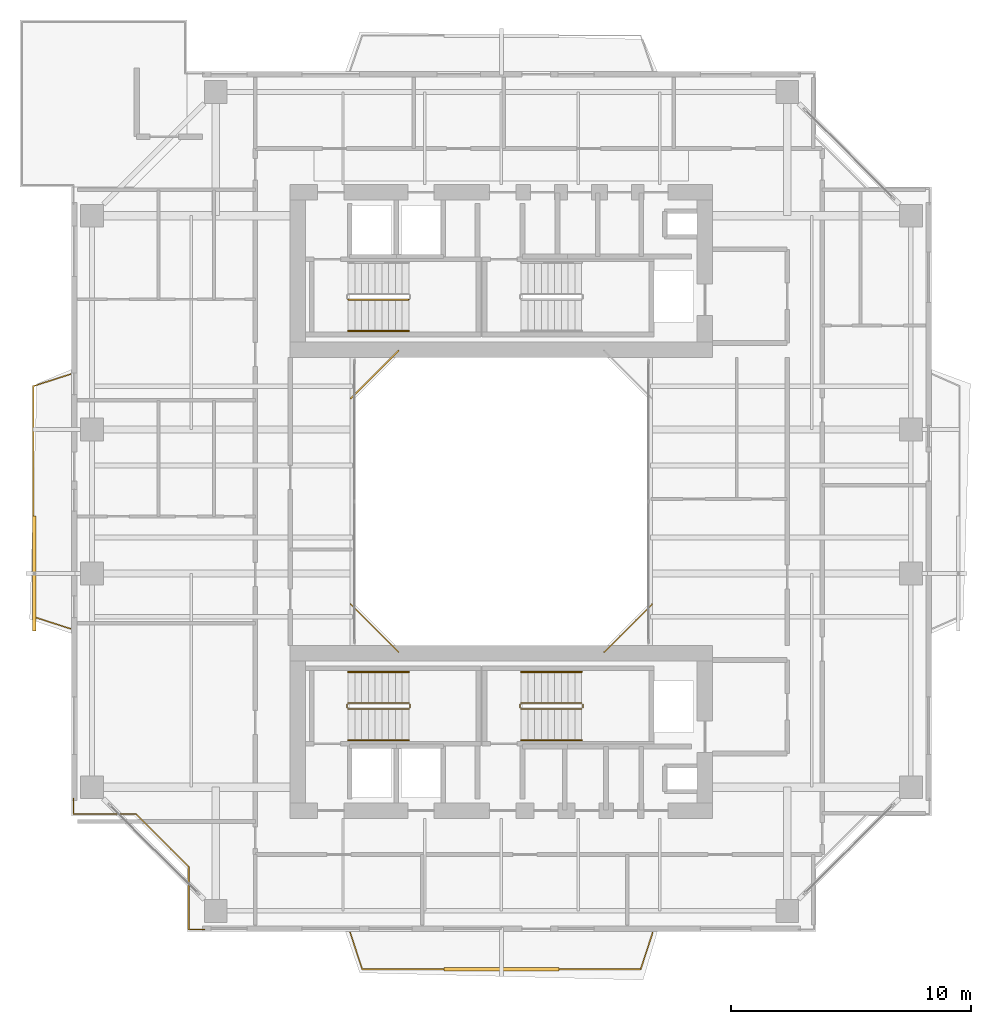
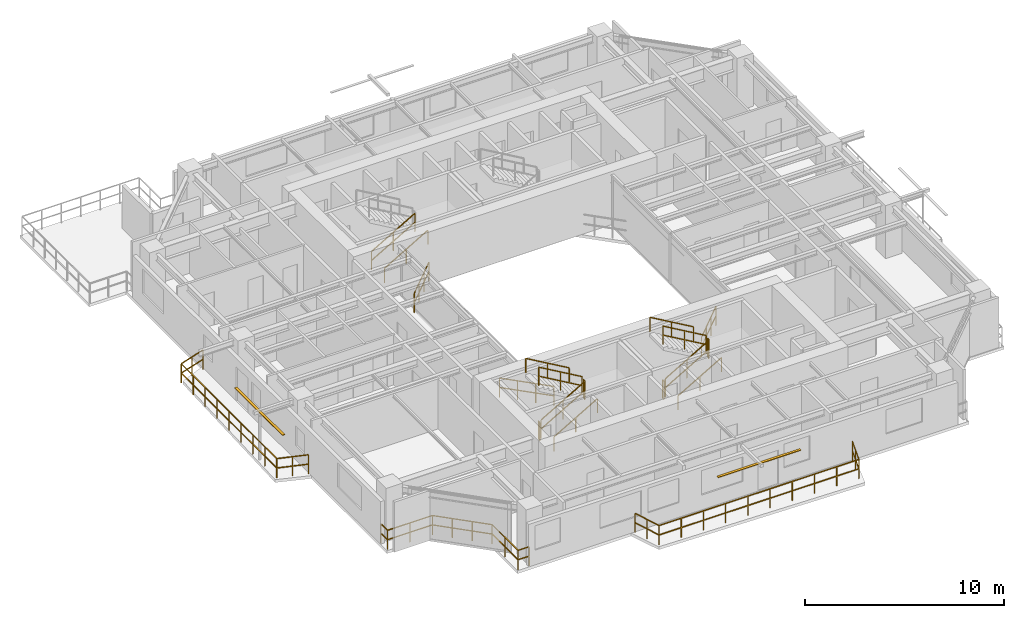
# One storey, part 15 of 17: 20 railings, 2 shading devices.
"""IFC4 building model written with IfcOpenShell, lengths in metres."""

from ifc_helpers import new_model, si_unit, direction, frame, origin, origin_2d, place, context, subcontext, project, spatial, rectangle, extrude, source, transform, mapped, material, material_profile, profile_set, type_object, element, save


model = new_model("IFC4")

# Units and contexts
model_context = context("Model", 3, precision=1e-05, world=origin(), true_north=direction((0.0, 1.0)))
body_context = subcontext(model_context, "Body", "Model", "MODEL_VIEW")
ifc_project = project(units=[si_unit("LENGTHUNIT", "METRE"), si_unit("AREAUNIT", "SQUARE_METRE"), si_unit("VOLUMEUNIT", "CUBIC_METRE"), si_unit("PLANEANGLEUNIT", "RADIAN"), si_unit("MASSUNIT", "GRAM", prefix="KILO"), si_unit("THERMODYNAMICTEMPERATUREUNIT", "KELVIN"), si_unit("POWERUNIT", "WATT")], contexts=[model_context])

# Site, building, storey
site_placement = place(None, origin())
site = spatial("IfcSite", under=ifc_project, at=site_placement, CompositionType="ELEMENT")
building_placement = place(site_placement, origin())
building = spatial("IfcBuilding", under=site, at=building_placement, Name="Qiaomeng Ring Towers", CompositionType="ELEMENT")
storey_placement = place(building_placement, frame((0.0, 0.0, 143.75)))
storey = spatial("IfcBuildingStorey", under=building, at=storey_placement, Name="L41", CompositionType="ELEMENT", Elevation=143.75)

# Railings
ifc_material_1 = material(Name="Low-E pale-green laminated safety glass", Category="glass")
railing_type_1 = type_object("IfcRailingType", Name="ARC-RL-BAL1", PredefinedType="BALUSTRADE", material=ifc_material_1)
railing_1_placement = place(storey_placement, frame((23.280029296875, 16.719970703125, 0.0)))
element("IfcRailing", 1, at=railing_1_placement, inside=storey, type_object=railing_type_1, Name="L41 Balustrade ARC-BAL-WELL1-L41-1", PredefinedType="BALUSTRADE", context=body_context, shape_type="SweptSolid", body=[
    extrude(rectangle(XDim=0.048095703125, YDim=0.048095703125, at=origin_2d()), frame((0.0, 0.0, 1.17578125), z_axis=(0.707106781187, 0.707106781187, 0.0), x_axis=(-0.707106781187, 0.707106781187, 0.0)), (0.0, 0.0, 1.0), 2.828369140625),
    extrude(rectangle(XDim=0.048095703125, YDim=0.048095703125, at=origin_2d()), frame((0.0, 0.0, 0.60009765625), z_axis=(0.707106781187, 0.707106781187, 0.0), x_axis=(-0.707106781187, 0.707106781187, 0.0)), (0.0, 0.0, 1.0), 2.828369140625),
    extrude(rectangle(XDim=0.0419921875, YDim=0.0419921875, at=origin_2d()), origin(), (0.0, 0.0, 1.0), 1.15185546875),
    extrude(rectangle(XDim=0.0419921875, YDim=0.0419921875, at=origin_2d()), frame((0.666748046875, 0.666748046875, 0.0)), (0.0, 0.0, 1.0), 1.15185546875),
    extrude(rectangle(XDim=0.0419921875, YDim=0.0419921875, at=origin_2d()), frame((1.333251953125, 1.333251953125, 0.0)), (0.0, 0.0, 1.0), 1.15185546875),
    extrude(rectangle(XDim=0.0419921875, YDim=0.0419921875, at=origin_2d()), frame((2.0, 2.0, 0.0)), (0.0, 0.0, 1.0), 1.15185546875),
])
railing_2_placement = place(storey_placement, frame((14.719970703125, 29.280029296875, 0.0)))
element("IfcRailing", 2, at=railing_2_placement, inside=storey, type_object=railing_type_1, Name="L41 Balustrade ARC-BAL-WELL1-L41-3", PredefinedType="BALUSTRADE", context=body_context, shape_type="SweptSolid", body=[
    extrude(rectangle(XDim=0.048095703125, YDim=0.048095703125, at=origin_2d()), frame((0.0, 0.0, 1.17578125), z_axis=(-0.707106781187, -0.707106781187, 0.0), x_axis=(0.707106781187, -0.707106781187, 0.0)), (0.0, 0.0, 1.0), 2.828369140625),
    extrude(rectangle(XDim=0.048095703125, YDim=0.048095703125, at=origin_2d()), frame((0.0, 0.0, 0.60009765625), z_axis=(-0.707106781187, -0.707106781187, 0.0), x_axis=(0.707106781187, -0.707106781187, 0.0)), (0.0, 0.0, 1.0), 2.828369140625),
    extrude(rectangle(XDim=0.0419921875, YDim=0.0419921875, at=origin_2d()), origin(), (0.0, 0.0, 1.0), 1.15185546875),
    extrude(rectangle(XDim=0.0419921875, YDim=0.0419921875, at=origin_2d()), frame((-0.666748046875, -0.666748046875, 0.0)), (0.0, 0.0, 1.0), 1.15185546875),
    extrude(rectangle(XDim=0.0419921875, YDim=0.0419921875, at=origin_2d()), frame((-1.333251953125, -1.333251953125, 0.0)), (0.0, 0.0, 1.0), 1.15185546875),
    extrude(rectangle(XDim=0.0419921875, YDim=0.0419921875, at=origin_2d()), frame((-2.0, -2.0, 0.0)), (0.0, 0.0, 1.0), 1.15185546875),
])
railing_3_placement = place(storey_placement, frame((12.719970703125, 18.719970703125, 0.0)))
element("IfcRailing", 3, at=railing_3_placement, inside=storey, type_object=railing_type_1, Name="L41 Balustrade ARC-BAL-WELL1-L41-4", PredefinedType="BALUSTRADE", context=body_context, shape_type="SweptSolid", body=[
    extrude(rectangle(XDim=0.048095703125, YDim=0.048095703125, at=origin_2d()), frame((0.0, 0.0, 1.17578125), z_axis=(0.707106781187, -0.707106781187, 0.0), x_axis=(0.707106781187, 0.707106781187, 0.0)), (0.0, 0.0, 1.0), 2.828369140625),
    extrude(rectangle(XDim=0.048095703125, YDim=0.048095703125, at=origin_2d()), frame((0.0, 0.0, 0.60009765625), z_axis=(0.707106781187, -0.707106781187, 0.0), x_axis=(0.707106781187, 0.707106781187, 0.0)), (0.0, 0.0, 1.0), 2.828369140625),
    extrude(rectangle(XDim=0.0419921875, YDim=0.0419921875, at=origin_2d()), origin(), (0.0, 0.0, 1.0), 1.15185546875),
    extrude(rectangle(XDim=0.0419921875, YDim=0.0419921875, at=origin_2d()), frame((0.666748046875, -0.666748046875, 0.0)), (0.0, 0.0, 1.0), 1.15185546875),
    extrude(rectangle(XDim=0.0419921875, YDim=0.0419921875, at=origin_2d()), frame((1.333251953125, -1.333251953125, 0.0)), (0.0, 0.0, 1.0), 1.15185546875),
    extrude(rectangle(XDim=0.0419921875, YDim=0.0419921875, at=origin_2d()), frame((2.0, -2.0, 0.0)), (0.0, 0.0, 1.0), 1.15185546875),
])
railing_4_placement = place(storey_placement, frame((1.179931640625, 10.6298828125, 0.0)))
element("IfcRailing", 4, at=railing_4_placement, inside=storey, type_object=railing_type_1, Name="L41 Balustrade ARC-BAL-NOTCH1-L41-SW", PredefinedType="BALUSTRADE", context=body_context, shape_type="SweptSolid", body=[
    extrude(rectangle(XDim=0.048095703125, YDim=0.048095703125, at=origin_2d()), frame((0.0, 0.0, 1.17578125), z_axis=(0.0, -1.0, 0.0), x_axis=(1.0, 0.0, 0.0)), (0.0, 0.0, 1.0), 0.64990234375),
    extrude(rectangle(XDim=0.048095703125, YDim=0.048095703125, at=origin_2d()), frame((0.0, 0.0, 0.60009765625), z_axis=(0.0, -1.0, 0.0), x_axis=(1.0, 0.0, 0.0)), (0.0, 0.0, 1.0), 0.64990234375),
    extrude(rectangle(XDim=0.048095703125, YDim=0.048095703125, at=origin_2d()), frame((0.0, -0.64990234375, 1.17578125), z_axis=(1.0, 0.0, 0.0), x_axis=(0.0, 1.0, 0.0)), (0.0, 0.0, 1.0), 2.60009765625),
    extrude(rectangle(XDim=0.048095703125, YDim=0.048095703125, at=origin_2d()), frame((0.0, -0.64990234375, 0.60009765625), z_axis=(1.0, 0.0, 0.0), x_axis=(0.0, 1.0, 0.0)), (0.0, 0.0, 1.0), 2.60009765625),
    extrude(rectangle(XDim=0.048095703125, YDim=0.048095703125, at=origin_2d()), frame((2.60009765625, -0.64990234375, 1.17578125), z_axis=(0.707106781187, -0.707106781187, 0.0), x_axis=(0.707106781187, 0.707106781187, 0.0)), (0.0, 0.0, 1.0), 3.111083984375),
    extrude(rectangle(XDim=0.048095703125, YDim=0.048095703125, at=origin_2d()), frame((2.60009765625, -0.64990234375, 0.60009765625), z_axis=(0.707106781187, -0.707106781187, 0.0), x_axis=(0.707106781187, 0.707106781187, 0.0)), (0.0, 0.0, 1.0), 3.111083984375),
    extrude(rectangle(XDim=0.048095703125, YDim=0.048095703125, at=origin_2d()), frame((4.800048828125, -2.849853515625, 1.17578125), z_axis=(0.0, -1.0, 0.0), x_axis=(1.0, 0.0, 0.0)), (0.0, 0.0, 1.0), 2.60009765625),
    extrude(rectangle(XDim=0.048095703125, YDim=0.048095703125, at=origin_2d()), frame((4.800048828125, -2.849853515625, 0.60009765625), z_axis=(0.0, -1.0, 0.0), x_axis=(1.0, 0.0, 0.0)), (0.0, 0.0, 1.0), 2.60009765625),
    extrude(rectangle(XDim=0.048095703125, YDim=0.048095703125, at=origin_2d()), frame((4.800048828125, -5.449951171875, 1.17578125), z_axis=(1.0, 0.0, 0.0), x_axis=(0.0, 1.0, 0.0)), (0.0, 0.0, 1.0), 0.64990234375),
    extrude(rectangle(XDim=0.048095703125, YDim=0.048095703125, at=origin_2d()), frame((4.800048828125, -5.449951171875, 0.60009765625), z_axis=(1.0, 0.0, 0.0), x_axis=(0.0, 1.0, 0.0)), (0.0, 0.0, 1.0), 0.64990234375),
    extrude(rectangle(XDim=0.0419921875, YDim=0.0419921875, at=origin_2d()), origin(), (0.0, 0.0, 1.0), 1.15185546875),
    extrude(rectangle(XDim=0.0419921875, YDim=0.0419921875, at=origin_2d()), frame((0.0, -0.64990234375, 0.0)), (0.0, 0.0, 1.0), 1.15185546875),
    extrude(rectangle(XDim=0.0419921875, YDim=0.0419921875, at=origin_2d()), frame((1.300048828125, -0.64990234375, 0.0)), (0.0, 0.0, 1.0), 1.15185546875),
    extrude(rectangle(XDim=0.0419921875, YDim=0.0419921875, at=origin_2d()), frame((2.60009765625, -0.64990234375, 0.0)), (0.0, 0.0, 1.0), 1.15185546875),
    extrude(rectangle(XDim=0.0419921875, YDim=0.0419921875, at=origin_2d()), frame((3.33349609375, -1.38330078125, 0.0)), (0.0, 0.0, 1.0), 1.15185546875),
    extrude(rectangle(XDim=0.0419921875, YDim=0.0419921875, at=origin_2d()), frame((4.066650390625, -2.116455078125, 0.0)), (0.0, 0.0, 1.0), 1.15185546875),
    extrude(rectangle(XDim=0.0419921875, YDim=0.0419921875, at=origin_2d()), frame((4.800048828125, -2.849853515625, 0.0)), (0.0, 0.0, 1.0), 1.15185546875),
    extrude(rectangle(XDim=0.0419921875, YDim=0.0419921875, at=origin_2d()), frame((4.800048828125, -4.14990234375, 0.0)), (0.0, 0.0, 1.0), 1.15185546875),
    extrude(rectangle(XDim=0.0419921875, YDim=0.0419921875, at=origin_2d()), frame((4.800048828125, -5.449951171875, 0.0)), (0.0, 0.0, 1.0), 1.15185546875),
    extrude(rectangle(XDim=0.0419921875, YDim=0.0419921875, at=origin_2d()), frame((5.449951171875, -5.449951171875, 0.0)), (0.0, 0.0, 1.0), 1.15185546875),
])
railing_5_placement = place(storey_placement, frame((12.699951171875, 5.050048828125, 0.0)))
element("IfcRailing", 5, at=railing_5_placement, inside=storey, type_object=railing_type_1, Name="L41 Balustrade ARC-BAL-L41-T1-S", PredefinedType="BALUSTRADE", context=body_context, shape_type="SweptSolid", body=[
    extrude(rectangle(XDim=0.048095703125, YDim=0.048095703125, at=origin_2d()), frame((0.0, 0.0, 1.17578125), z_axis=(0.310625543041, -0.950532362421, 0.0), x_axis=(0.950532362421, 0.310625543041, 0.0)), (0.0, 0.0, 1.0), 1.609619140625),
    extrude(rectangle(XDim=0.048095703125, YDim=0.048095703125, at=origin_2d()), frame((0.0, 0.0, 0.60009765625), z_axis=(0.310625543041, -0.950532362421, 0.0), x_axis=(0.950532362421, 0.310625543041, 0.0)), (0.0, 0.0, 1.0), 1.609619140625),
    extrude(rectangle(XDim=0.048095703125, YDim=0.048095703125, at=origin_2d()), frame((0.5, -1.530029296875, 1.17578125), z_axis=(1.0, 0.0, 0.0), x_axis=(0.0, 1.0, 0.0)), (0.0, 0.0, 1.0), 11.60009765625),
    extrude(rectangle(XDim=0.048095703125, YDim=0.048095703125, at=origin_2d()), frame((0.5, -1.530029296875, 0.60009765625), z_axis=(1.0, 0.0, 0.0), x_axis=(0.0, 1.0, 0.0)), (0.0, 0.0, 1.0), 11.60009765625),
    extrude(rectangle(XDim=0.048095703125, YDim=0.048095703125, at=origin_2d()), frame((12.10009765625, -1.530029296875, 1.17578125), z_axis=(0.310625543041, 0.950532362421, 0.0), x_axis=(-0.950532362421, 0.310625543041, 0.0)), (0.0, 0.0, 1.0), 1.609619140625),
    extrude(rectangle(XDim=0.048095703125, YDim=0.048095703125, at=origin_2d()), frame((12.10009765625, -1.530029296875, 0.60009765625), z_axis=(0.310625543041, 0.950532362421, 0.0), x_axis=(-0.950532362421, 0.310625543041, 0.0)), (0.0, 0.0, 1.0), 1.609619140625),
    extrude(rectangle(XDim=0.0419921875, YDim=0.0419921875, at=origin_2d()), origin(), (0.0, 0.0, 1.0), 1.15185546875),
    extrude(rectangle(XDim=0.0419921875, YDim=0.0419921875, at=origin_2d()), frame((0.25, -0.76513671875, 0.0)), (0.0, 0.0, 1.0), 1.15185546875),
    extrude(rectangle(XDim=0.0419921875, YDim=0.0419921875, at=origin_2d()), frame((0.5, -1.530029296875, 0.0)), (0.0, 0.0, 1.0), 1.15185546875),
    extrude(rectangle(XDim=0.0419921875, YDim=0.0419921875, at=origin_2d()), frame((1.788818359375, -1.530029296875, 0.0)), (0.0, 0.0, 1.0), 1.15185546875),
    extrude(rectangle(XDim=0.0419921875, YDim=0.0419921875, at=origin_2d()), frame((3.077880859375, -1.530029296875, 0.0)), (0.0, 0.0, 1.0), 1.15185546875),
    extrude(rectangle(XDim=0.0419921875, YDim=0.0419921875, at=origin_2d()), frame((4.36669921875, -1.530029296875, 0.0)), (0.0, 0.0, 1.0), 1.15185546875),
    extrude(rectangle(XDim=0.0419921875, YDim=0.0419921875, at=origin_2d()), frame((5.655517578125, -1.530029296875, 0.0)), (0.0, 0.0, 1.0), 1.15185546875),
    extrude(rectangle(XDim=0.0419921875, YDim=0.0419921875, at=origin_2d()), frame((6.944580078125, -1.530029296875, 0.0)), (0.0, 0.0, 1.0), 1.15185546875),
    extrude(rectangle(XDim=0.0419921875, YDim=0.0419921875, at=origin_2d()), frame((8.2333984375, -1.530029296875, 0.0)), (0.0, 0.0, 1.0), 1.15185546875),
    extrude(rectangle(XDim=0.0419921875, YDim=0.0419921875, at=origin_2d()), frame((9.522216796875, -1.530029296875, 0.0)), (0.0, 0.0, 1.0), 1.15185546875),
    extrude(rectangle(XDim=0.0419921875, YDim=0.0419921875, at=origin_2d()), frame((10.811279296875, -1.530029296875, 0.0)), (0.0, 0.0, 1.0), 1.15185546875),
    extrude(rectangle(XDim=0.0419921875, YDim=0.0419921875, at=origin_2d()), frame((12.10009765625, -1.530029296875, 0.0)), (0.0, 0.0, 1.0), 1.15185546875),
    extrude(rectangle(XDim=0.0419921875, YDim=0.0419921875, at=origin_2d()), frame((12.35009765625, -0.76513671875, 0.0)), (0.0, 0.0, 1.0), 1.15185546875),
    extrude(rectangle(XDim=0.0419921875, YDim=0.0419921875, at=origin_2d()), frame((12.60009765625, 0.0, 0.0)), (0.0, 0.0, 1.0), 1.15185546875),
])
railing_6_placement = place(storey_placement, frame((1.050048828125, 17.699951171875, 0.0)))
element("IfcRailing", 6, at=railing_6_placement, inside=storey, type_object=railing_type_1, Name="L41 Balustrade ARC-BAL-L41-T1-W", PredefinedType="BALUSTRADE", context=body_context, shape_type="SweptSolid", body=[
    extrude(rectangle(XDim=0.048095703125, YDim=0.048095703125, at=origin_2d()), frame((0.0, 0.0, 1.17578125), z_axis=(-0.951711443346, 0.306994020471, 0.0), x_axis=(-0.306994020471, -0.951711443346, 0.0)), (0.0, 0.0, 1.0), 1.628662109375),
    extrude(rectangle(XDim=0.048095703125, YDim=0.048095703125, at=origin_2d()), frame((0.0, 0.0, 0.60009765625), z_axis=(-0.951711443346, 0.306994020471, 0.0), x_axis=(-0.306994020471, -0.951711443346, 0.0)), (0.0, 0.0, 1.0), 1.628662109375),
    extrude(rectangle(XDim=0.048095703125, YDim=0.048095703125, at=origin_2d()), frame((-1.550048828125, 0.5, 1.17578125), z_axis=(0.0, 1.0, 0.0), x_axis=(-1.0, 0.0, 0.0)), (0.0, 0.0, 1.0), 9.60009765625),
    extrude(rectangle(XDim=0.048095703125, YDim=0.048095703125, at=origin_2d()), frame((-1.550048828125, 0.5, 0.60009765625), z_axis=(0.0, 1.0, 0.0), x_axis=(-1.0, 0.0, 0.0)), (0.0, 0.0, 1.0), 9.60009765625),
    extrude(rectangle(XDim=0.048095703125, YDim=0.048095703125, at=origin_2d()), frame((-1.550048828125, 10.10009765625, 1.17578125), z_axis=(0.951711443346, 0.306994020471, 0.0), x_axis=(-0.306994020471, 0.951711443346, 0.0)), (0.0, 0.0, 1.0), 1.628662109375),
    extrude(rectangle(XDim=0.048095703125, YDim=0.048095703125, at=origin_2d()), frame((-1.550048828125, 10.10009765625, 0.60009765625), z_axis=(0.951711443346, 0.306994020471, 0.0), x_axis=(-0.306994020471, 0.951711443346, 0.0)), (0.0, 0.0, 1.0), 1.628662109375),
    extrude(rectangle(XDim=0.0419921875, YDim=0.0419921875, at=origin_2d()), origin(), (0.0, 0.0, 1.0), 1.15185546875),
    extrude(rectangle(XDim=0.0419921875, YDim=0.0419921875, at=origin_2d()), frame((-0.77490234375, 0.25, 0.0)), (0.0, 0.0, 1.0), 1.15185546875),
    extrude(rectangle(XDim=0.0419921875, YDim=0.0419921875, at=origin_2d()), frame((-1.550048828125, 0.5, 0.0)), (0.0, 0.0, 1.0), 1.15185546875),
    extrude(rectangle(XDim=0.0419921875, YDim=0.0419921875, at=origin_2d()), frame((-1.550048828125, 1.699951171875, 0.0)), (0.0, 0.0, 1.0), 1.15185546875),
    extrude(rectangle(XDim=0.0419921875, YDim=0.0419921875, at=origin_2d()), frame((-1.550048828125, 2.89990234375, 0.0)), (0.0, 0.0, 1.0), 1.15185546875),
    extrude(rectangle(XDim=0.0419921875, YDim=0.0419921875, at=origin_2d()), frame((-1.550048828125, 4.10009765625, 0.0)), (0.0, 0.0, 1.0), 1.15185546875),
    extrude(rectangle(XDim=0.0419921875, YDim=0.0419921875, at=origin_2d()), frame((-1.550048828125, 5.300048828125, 0.0)), (0.0, 0.0, 1.0), 1.15185546875),
    extrude(rectangle(XDim=0.0419921875, YDim=0.0419921875, at=origin_2d()), frame((-1.550048828125, 6.5, 0.0)), (0.0, 0.0, 1.0), 1.15185546875),
    extrude(rectangle(XDim=0.0419921875, YDim=0.0419921875, at=origin_2d()), frame((-1.550048828125, 7.7001953125, 0.0)), (0.0, 0.0, 1.0), 1.15185546875),
    extrude(rectangle(XDim=0.0419921875, YDim=0.0419921875, at=origin_2d()), frame((-1.550048828125, 8.900146484375, 0.0)), (0.0, 0.0, 1.0), 1.15185546875),
    extrude(rectangle(XDim=0.0419921875, YDim=0.0419921875, at=origin_2d()), frame((-1.550048828125, 10.10009765625, 0.0)), (0.0, 0.0, 1.0), 1.15185546875),
    extrude(rectangle(XDim=0.0419921875, YDim=0.0419921875, at=origin_2d()), frame((-0.77490234375, 10.35009765625, 0.0)), (0.0, 0.0, 1.0), 1.15185546875),
    extrude(rectangle(XDim=0.0419921875, YDim=0.0419921875, at=origin_2d()), frame((0.0, 10.60009765625, 0.0)), (0.0, 0.0, 1.0), 1.15185546875),
])
ifc_material_2 = material(Name="Galvanised steel", Category="steel")
railing_type_2 = type_object("IfcRailingType", Name="ARC-RL-GUARD", PredefinedType="GUARDRAIL", material=ifc_material_2)
for number, where, name in (
    (7, (12.6201171875, 31.39990234375, 0.16259765625), "L41 ST1 stair guard 1"),
    (8, (12.6201171875, 14.360107421875, 0.16259765625), "L41 ST3 stair guard 1"),
):
    element("IfcRailing", number, at=place(storey_placement, frame(where)), inside=storey, type_object=railing_type_2, Name=name, PredefinedType="GUARDRAIL", context=body_context, shape_type="SweptSolid", body=[
        extrude(rectangle(XDim=0.048095703125, YDim=0.048095703125, at=origin_2d()), frame((0.0, 0.0, 1.1259765625), z_axis=(0.864892226395, 0.0, 0.501957604506), x_axis=(0.0, 1.0, 0.0)), (0.0, 0.0, 1.0), 2.913330078125),
        extrude(rectangle(XDim=0.048095703125, YDim=0.048095703125, at=origin_2d()), frame((0.0, 0.0, 0.574951171875), z_axis=(0.864892226395, 0.0, 0.501957604506), x_axis=(0.0, 1.0, 0.0)), (0.0, 0.0, 1.0), 2.913330078125),
        extrude(rectangle(XDim=0.0419921875, YDim=0.0419921875, at=origin_2d()), origin(), (0.0, 0.0, 1.0), 1.101806640625),
        extrude(rectangle(XDim=0.0419921875, YDim=0.0419921875, at=origin_2d()), frame((1.259765625, 0.0, 0.731201171875)), (0.0, 0.0, 1.0), 1.101806640625),
        extrude(rectangle(XDim=0.0419921875, YDim=0.0419921875, at=origin_2d()), frame((2.519775390625, 0.0, 1.46240234375)), (0.0, 0.0, 1.0), 1.101806640625),
    ])
railing_7_placement = place(storey_placement, frame((15.18994140625, 14.409912109375, 1.625)))
element("IfcRailing", 9, at=railing_7_placement, inside=storey, type_object=railing_type_2, Name="L41 ST3 stair guard 2", PredefinedType="GUARDRAIL", context=body_context, shape_type="SweptSolid", body=[
    extrude(rectangle(XDim=0.048095703125, YDim=0.048095703125, at=origin_2d()), frame((0.0, 0.0, 1.1259765625), z_axis=(0.0, 1.0, 0.0), x_axis=(-1.0, 0.0, 0.0)), (0.0, 0.0, 1.0), 0.14013671875),
    extrude(rectangle(XDim=0.048095703125, YDim=0.048095703125, at=origin_2d()), frame((0.0, 0.0, 0.574951171875), z_axis=(0.0, 1.0, 0.0), x_axis=(-1.0, 0.0, 0.0)), (0.0, 0.0, 1.0), 0.14013671875),
    extrude(rectangle(XDim=0.0419921875, YDim=0.0419921875, at=origin_2d()), origin(), (0.0, 0.0, 1.0), 1.101806640625),
    extrude(rectangle(XDim=0.0419921875, YDim=0.0419921875, at=origin_2d()), frame((0.0, 0.14013671875, 0.0)), (0.0, 0.0, 1.0), 1.101806640625),
])
railing_8_placement = place(storey_placement, frame((15.139892578125, 14.60009765625, 1.78759765625)))
element("IfcRailing", 10, at=railing_8_placement, inside=storey, type_object=railing_type_2, Name="L41 ST3 stair guard 3", PredefinedType="GUARDRAIL", context=body_context, shape_type="SweptSolid", body=[
    extrude(rectangle(XDim=0.048095703125, YDim=0.048095703125, at=origin_2d()), frame((0.0, 0.0, 1.1259765625), z_axis=(-0.864892226395, 0.0, 0.501957604506), x_axis=(0.0, -1.0, 0.0)), (0.0, 0.0, 1.0), 2.913330078125),
    extrude(rectangle(XDim=0.048095703125, YDim=0.048095703125, at=origin_2d()), frame((0.0, 0.0, 0.574951171875), z_axis=(-0.864892226395, 0.0, 0.501957604506), x_axis=(0.0, -1.0, 0.0)), (0.0, 0.0, 1.0), 2.913330078125),
    extrude(rectangle(XDim=0.0419921875, YDim=0.0419921875, at=origin_2d()), origin(), (0.0, 0.0, 1.0), 1.101806640625),
    extrude(rectangle(XDim=0.0419921875, YDim=0.0419921875, at=origin_2d()), frame((-1.259765625, 0.0, 0.731201171875)), (0.0, 0.0, 1.0), 1.101806640625),
    extrude(rectangle(XDim=0.0419921875, YDim=0.0419921875, at=origin_2d()), frame((-2.519775390625, 0.0, 1.46240234375)), (0.0, 0.0, 1.0), 1.101806640625),
])
railing_9_placement = place(storey_placement, frame((12.570068359375, 14.409912109375, 0.0)))
element("IfcRailing", 11, at=railing_9_placement, inside=storey, type_object=railing_type_2, Name="L41 ST3 stair guard 4", PredefinedType="GUARDRAIL", context=body_context, shape_type="SweptSolid", body=[
    extrude(rectangle(XDim=0.048095703125, YDim=0.048095703125, at=origin_2d()), frame((0.0, 0.0, 1.1259765625), z_axis=(0.0, 1.0, 0.0), x_axis=(-1.0, 0.0, 0.0)), (0.0, 0.0, 1.0), 0.14013671875),
    extrude(rectangle(XDim=0.048095703125, YDim=0.048095703125, at=origin_2d()), frame((0.0, 0.0, 0.574951171875), z_axis=(0.0, 1.0, 0.0), x_axis=(-1.0, 0.0, 0.0)), (0.0, 0.0, 1.0), 0.14013671875),
    extrude(rectangle(XDim=0.0419921875, YDim=0.0419921875, at=origin_2d()), origin(), (0.0, 0.0, 1.0), 1.101806640625),
    extrude(rectangle(XDim=0.0419921875, YDim=0.0419921875, at=origin_2d()), frame((0.0, 0.14013671875, 0.0)), (0.0, 0.0, 1.0), 1.101806640625),
])
railing_10_placement = place(storey_placement, frame((19.820068359375, 14.360107421875, 0.16259765625)))
element("IfcRailing", 12, at=railing_10_placement, inside=storey, type_object=railing_type_2, Name="L41 ST4 stair guard 1", PredefinedType="GUARDRAIL", context=body_context, shape_type="SweptSolid", body=[
    extrude(rectangle(XDim=0.048095703125, YDim=0.048095703125, at=origin_2d()), frame((0.0, 0.0, 1.1259765625), z_axis=(0.864913338283, 0.0, 0.50192122615), x_axis=(0.0, 1.0, 0.0)), (0.0, 0.0, 1.0), 2.91357421875),
    extrude(rectangle(XDim=0.048095703125, YDim=0.048095703125, at=origin_2d()), frame((0.0, 0.0, 0.574951171875), z_axis=(0.864913338283, 0.0, 0.50192122615), x_axis=(0.0, 1.0, 0.0)), (0.0, 0.0, 1.0), 2.91357421875),
    extrude(rectangle(XDim=0.0419921875, YDim=0.0419921875, at=origin_2d()), origin(), (0.0, 0.0, 1.0), 1.101806640625),
    extrude(rectangle(XDim=0.0419921875, YDim=0.0419921875, at=origin_2d()), frame((1.260009765625, 0.0, 0.731201171875)), (0.0, 0.0, 1.0), 1.101806640625),
    extrude(rectangle(XDim=0.0419921875, YDim=0.0419921875, at=origin_2d()), frame((2.52001953125, 0.0, 1.46240234375)), (0.0, 0.0, 1.0), 1.101806640625),
])
railing_11_placement = place(storey_placement, frame((22.389892578125, 14.409912109375, 1.625)))
element("IfcRailing", 13, at=railing_11_placement, inside=storey, type_object=railing_type_2, Name="L41 ST4 stair guard 2", PredefinedType="GUARDRAIL", context=body_context, shape_type="SweptSolid", body=[
    extrude(rectangle(XDim=0.048095703125, YDim=0.048095703125, at=origin_2d()), frame((0.0, 0.0, 1.1259765625), z_axis=(0.0, 1.0, 0.0), x_axis=(-1.0, 0.0, 0.0)), (0.0, 0.0, 1.0), 0.14013671875),
    extrude(rectangle(XDim=0.048095703125, YDim=0.048095703125, at=origin_2d()), frame((0.0, 0.0, 0.574951171875), z_axis=(0.0, 1.0, 0.0), x_axis=(-1.0, 0.0, 0.0)), (0.0, 0.0, 1.0), 0.14013671875),
    extrude(rectangle(XDim=0.0419921875, YDim=0.0419921875, at=origin_2d()), origin(), (0.0, 0.0, 1.0), 1.101806640625),
    extrude(rectangle(XDim=0.0419921875, YDim=0.0419921875, at=origin_2d()), frame((0.0, 0.14013671875, 0.0)), (0.0, 0.0, 1.0), 1.101806640625),
])
railing_12_placement = place(storey_placement, frame((22.340087890625, 14.60009765625, 1.78759765625)))
element("IfcRailing", 14, at=railing_12_placement, inside=storey, type_object=railing_type_2, Name="L41 ST4 stair guard 3", PredefinedType="GUARDRAIL", context=body_context, shape_type="SweptSolid", body=[
    extrude(rectangle(XDim=0.048095703125, YDim=0.048095703125, at=origin_2d()), frame((0.0, 0.0, 1.1259765625), z_axis=(-0.864913338283, 0.0, 0.50192122615), x_axis=(0.0, -1.0, 0.0)), (0.0, 0.0, 1.0), 2.91357421875),
    extrude(rectangle(XDim=0.048095703125, YDim=0.048095703125, at=origin_2d()), frame((0.0, 0.0, 0.574951171875), z_axis=(-0.864913338283, 0.0, 0.50192122615), x_axis=(0.0, -1.0, 0.0)), (0.0, 0.0, 1.0), 2.91357421875),
    extrude(rectangle(XDim=0.0419921875, YDim=0.0419921875, at=origin_2d()), origin(), (0.0, 0.0, 1.0), 1.101806640625),
    extrude(rectangle(XDim=0.0419921875, YDim=0.0419921875, at=origin_2d()), frame((-1.260009765625, 0.0, 0.731201171875)), (0.0, 0.0, 1.0), 1.101806640625),
    extrude(rectangle(XDim=0.0419921875, YDim=0.0419921875, at=origin_2d()), frame((-2.52001953125, 0.0, 1.46240234375)), (0.0, 0.0, 1.0), 1.101806640625),
])
railing_13_placement = place(storey_placement, frame((19.77001953125, 14.409912109375, 0.0)))
element("IfcRailing", 15, at=railing_13_placement, inside=storey, type_object=railing_type_2, Name="L41 ST4 stair guard 4", PredefinedType="GUARDRAIL", context=body_context, shape_type="SweptSolid", body=[
    extrude(rectangle(XDim=0.048095703125, YDim=0.048095703125, at=origin_2d()), frame((0.0, 0.0, 1.1259765625), z_axis=(0.0, 1.0, 0.0), x_axis=(-1.0, 0.0, 0.0)), (0.0, 0.0, 1.0), 0.14013671875),
    extrude(rectangle(XDim=0.048095703125, YDim=0.048095703125, at=origin_2d()), frame((0.0, 0.0, 0.574951171875), z_axis=(0.0, 1.0, 0.0), x_axis=(-1.0, 0.0, 0.0)), (0.0, 0.0, 1.0), 0.14013671875),
    extrude(rectangle(XDim=0.0419921875, YDim=0.0419921875, at=origin_2d()), origin(), (0.0, 0.0, 1.0), 1.101806640625),
    extrude(rectangle(XDim=0.0419921875, YDim=0.0419921875, at=origin_2d()), frame((0.0, 0.14013671875, 0.0)), (0.0, 0.0, 1.0), 1.101806640625),
])
ifc_material_3 = material(Name="Stainless steel 316", Category="steel")
railing_type_3 = type_object("IfcRailingType", Name="ARC-RL-HAND", PredefinedType="HANDRAIL", material=ifc_material_3)
for number, where, name in (
    (16, (12.6201171875, 30.10009765625, 0.16259765625), "L41 ST1 stair handrail 1"),
    (17, (12.6201171875, 13.06005859375, 0.16259765625), "L41 ST3 stair handrail 1"),
):
    element("IfcRailing", number, at=place(storey_placement, frame(where)), inside=storey, type_object=railing_type_3, Name=name, PredefinedType="HANDRAIL", context=body_context, shape_type="SweptSolid", body=[
        extrude(rectangle(XDim=0.048095703125, YDim=0.048095703125, at=origin_2d()), frame((0.0, 0.0, 0.8759765625), z_axis=(0.864892226395, 0.0, 0.501957604506), x_axis=(0.0, 1.0, 0.0)), (0.0, 0.0, 1.0), 2.913330078125),
        extrude(rectangle(XDim=0.0419921875, YDim=0.0419921875, at=origin_2d()), origin(), (0.0, 0.0, 1.0), 0.851806640625),
        extrude(rectangle(XDim=0.0419921875, YDim=0.0419921875, at=origin_2d()), frame((1.259765625, 0.0, 0.731201171875)), (0.0, 0.0, 1.0), 0.851806640625),
        extrude(rectangle(XDim=0.0419921875, YDim=0.0419921875, at=origin_2d()), frame((2.519775390625, 0.0, 1.46240234375)), (0.0, 0.0, 1.0), 0.851806640625),
    ])
railing_14_placement = place(storey_placement, frame((15.139892578125, 15.89990234375, 1.78759765625)))
element("IfcRailing", 18, at=railing_14_placement, inside=storey, type_object=railing_type_3, Name="L41 ST3 stair handrail 2", PredefinedType="HANDRAIL", context=body_context, shape_type="SweptSolid", body=[
    extrude(rectangle(XDim=0.048095703125, YDim=0.048095703125, at=origin_2d()), frame((0.0, 0.0, 0.8759765625), z_axis=(-0.864892226395, 0.0, 0.501957604506), x_axis=(0.0, -1.0, 0.0)), (0.0, 0.0, 1.0), 2.913330078125),
    extrude(rectangle(XDim=0.0419921875, YDim=0.0419921875, at=origin_2d()), origin(), (0.0, 0.0, 1.0), 0.851806640625),
    extrude(rectangle(XDim=0.0419921875, YDim=0.0419921875, at=origin_2d()), frame((-1.259765625, 0.0, 0.731201171875)), (0.0, 0.0, 1.0), 0.851806640625),
    extrude(rectangle(XDim=0.0419921875, YDim=0.0419921875, at=origin_2d()), frame((-2.519775390625, 0.0, 1.46240234375)), (0.0, 0.0, 1.0), 0.851806640625),
])
railing_15_placement = place(storey_placement, frame((19.820068359375, 13.06005859375, 0.16259765625)))
element("IfcRailing", 19, at=railing_15_placement, inside=storey, type_object=railing_type_3, Name="L41 ST4 stair handrail 1", PredefinedType="HANDRAIL", context=body_context, shape_type="SweptSolid", body=[
    extrude(rectangle(XDim=0.048095703125, YDim=0.048095703125, at=origin_2d()), frame((0.0, 0.0, 0.8759765625), z_axis=(0.864913338283, 0.0, 0.50192122615), x_axis=(0.0, 1.0, 0.0)), (0.0, 0.0, 1.0), 2.91357421875),
    extrude(rectangle(XDim=0.0419921875, YDim=0.0419921875, at=origin_2d()), origin(), (0.0, 0.0, 1.0), 0.851806640625),
    extrude(rectangle(XDim=0.0419921875, YDim=0.0419921875, at=origin_2d()), frame((1.260009765625, 0.0, 0.731201171875)), (0.0, 0.0, 1.0), 0.851806640625),
    extrude(rectangle(XDim=0.0419921875, YDim=0.0419921875, at=origin_2d()), frame((2.52001953125, 0.0, 1.46240234375)), (0.0, 0.0, 1.0), 0.851806640625),
])
railing_16_placement = place(storey_placement, frame((22.340087890625, 15.89990234375, 1.78759765625)))
element("IfcRailing", 20, at=railing_16_placement, inside=storey, type_object=railing_type_3, Name="L41 ST4 stair handrail 2", PredefinedType="HANDRAIL", context=body_context, shape_type="SweptSolid", body=[
    extrude(rectangle(XDim=0.048095703125, YDim=0.048095703125, at=origin_2d()), frame((0.0, 0.0, 0.8759765625), z_axis=(-0.864913338283, 0.0, 0.50192122615), x_axis=(0.0, -1.0, 0.0)), (0.0, 0.0, 1.0), 2.91357421875),
    extrude(rectangle(XDim=0.0419921875, YDim=0.0419921875, at=origin_2d()), origin(), (0.0, 0.0, 1.0), 0.851806640625),
    extrude(rectangle(XDim=0.0419921875, YDim=0.0419921875, at=origin_2d()), frame((-1.260009765625, 0.0, 0.731201171875)), (0.0, 0.0, 1.0), 0.851806640625),
    extrude(rectangle(XDim=0.0419921875, YDim=0.0419921875, at=origin_2d()), frame((-2.52001953125, 0.0, 1.46240234375)), (0.0, 0.0, 1.0), 0.851806640625),
])

# Shading devices
ifc_material_4 = material(Name="Fluorocarbon dark-grey aluminium", Category="aluminium")
ifc_material_profile = material_profile(ifc_material_4, rectangle(XDim=0.14990234375, YDim=0.034912109375, at=origin_2d()), Name="LV BLADE 150x35")
ifc_profile_set = profile_set([ifc_material_profile], Name="Fluorocarbon dark-grey aluminium")
shading_device_type = type_object("IfcShadingDeviceType", Name="ARC-SHD-SUN", PredefinedType="AWNING", material=ifc_profile_set)
shared_shape = source(origin(), body_context, "Body", "SweptSolid", [
    extrude(rectangle(XDim=0.14990234375, YDim=0.034912109375, at=origin_2d()), origin(), (0.0, 0.0, 1.0), 4.7998046875),
])
for number, where, z_axis, x_axis, name in (
    (21, (16.60009765625, 3.52001953125, 2.969970703125), (1.0, 0.0, 0.0), (0.0, 1.0, 0.0), "L41 Ventilated Outer-Skin Sunshade S"),
    (22, (-0.449951171875, 17.60009765625, 2.969970703125), (0.0, 1.0, 0.0), (-1.0, 0.0, 0.0), "L41 Ventilated Outer-Skin Sunshade W"),
):
    element("IfcShadingDevice", number, at=place(storey_placement, frame(where, z_axis=z_axis, x_axis=x_axis)), inside=storey, type_object=shading_device_type, Name=name, PredefinedType="AWNING", context=body_context, shape_type="MappedRepresentation", body=[
        mapped(shared_shape, transform((0.0, 0.0, 0.0), x_axis=(1.0, 0.0, 0.0), y_axis=(0.0, 1.0, 0.0), z_axis=(0.0, 0.0, 1.0), scale=1.0)),
    ])

save(model, "model.ifc")
